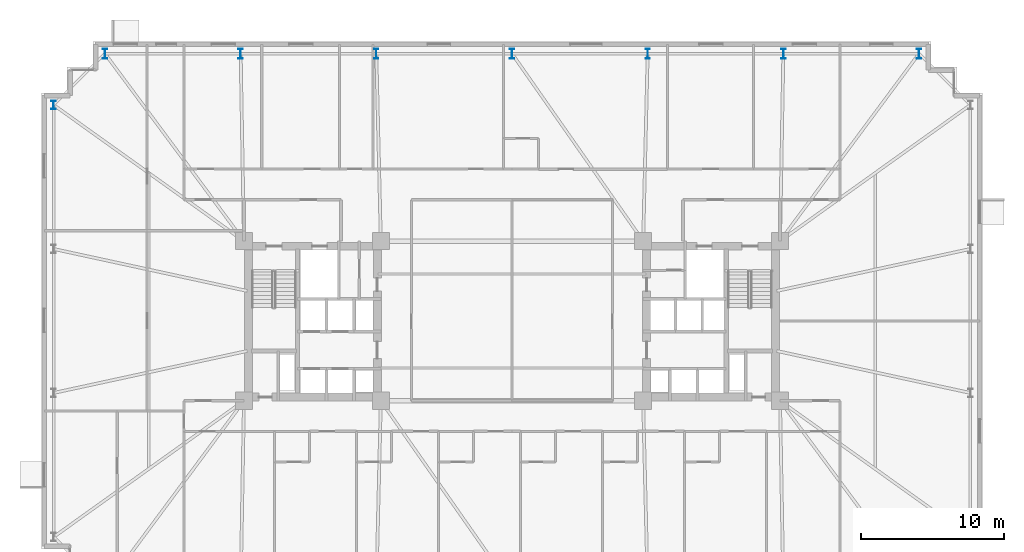
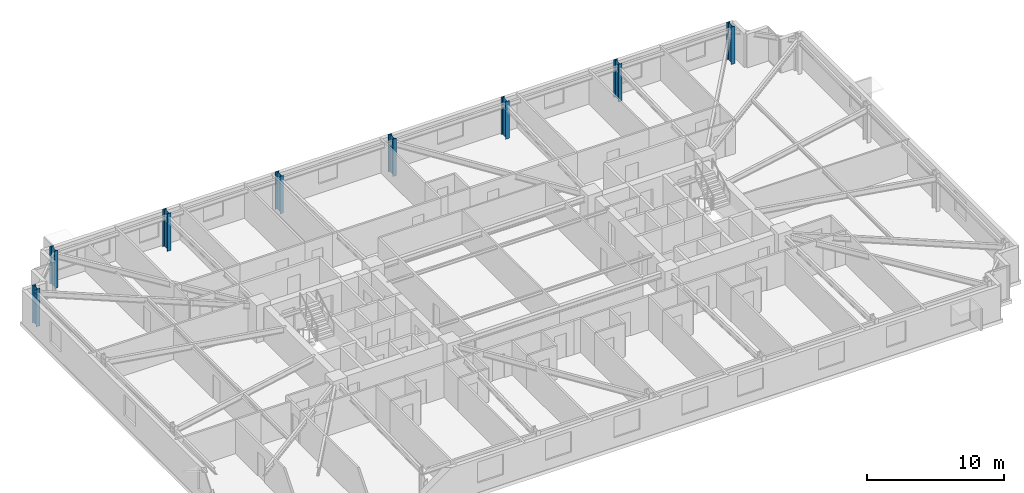
# One storey, part 2 of 20: 8 columns.
"""IFC4 building model written with IfcOpenShell, lengths in metres."""

import ifcopenshell
import ifcopenshell.guid

model = None  # the IFC model being written
_history = None  # IfcOwnerHistory: only IFC2X3 demands one
_inside = {}  # id of a spatial element -> (the spatial element, [elements in it])
_under = {}  # id of a project, library or spatial element -> (it, [spatial elements below it])
_declared = {}  # id of a project -> (the project, [libraries it declares])
_typed = {}  # id of a type object -> (the type object, [elements of that type])
_made_of = {}  # id of a material, layer set ... -> (it, [elements and type objects made of it])


def new_model(schema):
    """Start an empty IFC model of exactly this schema.

    Asked for "IFC4X3", IfcOpenShell would pick the latest addendum, in which some entities
    have other attributes; the version numbers below select the first issue.
    IFC2X3 requires an IfcOwnerHistory on every rooted entity: one is made here for all.
    """
    global model, _history
    if schema == "IFC4X3":
        model = ifcopenshell.file(schema_version=(4, 3, 0, 0))
    else:
        model = ifcopenshell.file(schema=schema)
    _inside.clear()
    _under.clear()
    _declared.clear()
    _typed.clear()
    _made_of.clear()
    _history = None
    if model.schema == "IFC2X3":
        org = make("IfcOrganization", Name="unknown")
        user = make(
            "IfcPersonAndOrganization",
            ThePerson=make("IfcPerson", FamilyName="unknown"),
            TheOrganization=org,
        )
        app = make(
            "IfcApplication",
            ApplicationDeveloper=org,
            Version="unknown",
            ApplicationFullName="unknown",
            ApplicationIdentifier="unknown",
        )
        _history = make(
            "IfcOwnerHistory",
            OwningUser=user,
            OwningApplication=app,
            ChangeAction="ADDED",
            CreationDate=0,
        )
    return model


def make(cls, **values):
    """One entity of the class cls with the attributes given. An attribute that is None is left unset."""
    return model.create_entity(
        cls, **{name: value for name, value in values.items() if value is not None}
    )


def rooted(cls, **values):
    """An entity with a GlobalId (a new one), such as an element, a storey or a relation."""
    return make(cls, GlobalId=ifcopenshell.guid.new(), OwnerHistory=_history, **values)


def si_unit(unit_type, name, prefix=None):
    """IfcSIUnit, for example si_unit("LENGTHUNIT", "METRE", prefix="MILLI")."""
    return make("IfcSIUnit", UnitType=unit_type, Prefix=prefix, Name=name)


def assignment(units):
    """IfcUnitAssignment: the units of a project."""
    return None if units is None else make("IfcUnitAssignment", Units=units)


def point(xyz):
    """IfcCartesianPoint."""
    return None if xyz is None else make("IfcCartesianPoint", Coordinates=xyz)


def direction(xyz):
    """IfcDirection."""
    return None if xyz is None else make("IfcDirection", DirectionRatios=xyz)


def frame(location, z_axis=None, x_axis=None):
    """IfcAxis2Placement3D, a coordinate frame: its origin and axes. An axis left out is left unset."""
    return make(
        "IfcAxis2Placement3D",
        Location=point(location),
        Axis=direction(z_axis),
        RefDirection=direction(x_axis),
    )


def frame_2d(location, x_axis=None):
    """IfcAxis2Placement2D, a coordinate frame in the plane: its origin and x axis."""
    return make(
        "IfcAxis2Placement2D", Location=point(location), RefDirection=direction(x_axis)
    )


def origin():
    """The frame at (0, 0, 0) with its axes left unset."""
    return frame((0.0, 0.0, 0.0))


def origin_2d():
    """The frame at (0, 0) in the plane with its x axis left unset."""
    return frame_2d((0.0, 0.0))


def place(relative_to, where):
    """IfcLocalPlacement: puts the frame where relative to a parent placement (None: the world)."""
    return make(
        "IfcLocalPlacement", PlacementRelTo=relative_to, RelativePlacement=where
    )


def context(
    kind, dimensions, precision=None, world=None, true_north=None, identifier=None
):
    """IfcGeometricRepresentationContext, for example the 3D "Model" context."""
    return make(
        "IfcGeometricRepresentationContext",
        ContextIdentifier=identifier,
        ContextType=kind,
        CoordinateSpaceDimension=dimensions,
        Precision=precision,
        WorldCoordinateSystem=world,
        TrueNorth=true_north,
    )


def subcontext(parent, identifier, kind, view, scale=None):
    """IfcGeometricRepresentationSubContext, for example "Body" below "Model"."""
    return make(
        "IfcGeometricRepresentationSubContext",
        ContextIdentifier=identifier,
        ContextType=kind,
        ParentContext=parent,
        TargetScale=scale,
        TargetView=view,
    )


def project(units=None, contexts=None):
    """IfcProject with its units and contexts."""
    return rooted(
        "IfcProject",
        Name="project",
        RepresentationContexts=contexts,
        UnitsInContext=assignment(units),
    )


def spatial(cls, under=None, at=None, **own):
    """A site, building, storey or space (cls), placed at a placement, below another one or the project."""
    s = rooted(cls, ObjectPlacement=at, **own)
    if under is not None:
        _under.setdefault(under.id(), (under, []))[1].append(s)
    return s


def profile(cls, at=None, kind="AREA", **sizes):
    """A parametric profile (cls). Its sizes go by their IFC names, for example OverallWidth=200.0."""
    return make(cls, ProfileType=kind, Position=at, **sizes)


def i_section(**sizes):
    """IfcIShapeProfileDef."""
    return profile("IfcIShapeProfileDef", **sizes)


def extrude(swept, where, along, depth):
    """IfcExtrudedAreaSolid: the profile swept, set in the frame where, extruded along a direction by depth."""
    return make(
        "IfcExtrudedAreaSolid",
        SweptArea=swept,
        Position=where,
        ExtrudedDirection=direction(along),
        Depth=depth,
    )


def shape(context_of_items, identifier, shape_type, items):
    """IfcShapeRepresentation: the items that make up one representation, for example the "Body"."""
    return make(
        "IfcShapeRepresentation",
        ContextOfItems=context_of_items,
        RepresentationIdentifier=identifier,
        RepresentationType=shape_type,
        Items=items,
    )


def material(Name=None, Category=None):
    """IfcMaterial."""
    return make("IfcMaterial", Name=Name, Category=Category)


def material_profile(
    of_material, cross_section, Name=None, Category=None, Priority=None
):
    """IfcMaterialProfile: a cross section and its material."""
    return make(
        "IfcMaterialProfile",
        Name=Name,
        Material=of_material,
        Profile=cross_section,
        Priority=Priority,
        Category=Category,
    )


def profile_set(profiles, Name=None, composite=None):
    """IfcMaterialProfileSet."""
    return make(
        "IfcMaterialProfileSet",
        Name=Name,
        MaterialProfiles=profiles,
        CompositeProfile=composite,
    )


def made_of(thing, what):
    """Note that an element or type object is made of a material, layer set ...; save() writes the relation."""
    if what is not None:
        _made_of.setdefault(what.id(), (what, []))[1].append(thing)
    return thing


def type_object(cls, material=None, **own):
    """A type object (cls), such as IfcWallType, which elements share."""
    return made_of(rooted(cls, **own), material)


def element(
    cls,
    number,
    at=None,
    inside=None,
    cuts=None,
    type_object=None,
    material=None,
    context=None,
    identifier="Body",
    shape_type=None,
    held_by="IfcProductDefinitionShape",
    body=None,
    shapes=None,
    **own,
):
    """One element of the class cls, such as IfcWall. Its Tag is "e" and its number.

    at: its placement. inside: the storey or other place that contains it. cuts: it is an
    opening in that element (IfcRelVoidsElement). A single representation is given by context,
    identifier, shape_type and body (its items); several are given by shapes. held_by: the class
    of the entity that holds the representations. save() writes the other relations.
    """
    e = rooted(cls, Tag="e%d" % number, ObjectPlacement=at, **own)
    if body is not None:
        shapes = [shape(context, identifier, shape_type, body)]
    if shapes is not None:
        e.Representation = make(held_by, Representations=shapes)
    if inside is not None:
        _inside.setdefault(inside.id(), (inside, []))[1].append(e)
    if cuts is not None:
        rooted(
            "IfcRelVoidsElement", RelatingBuildingElement=cuts, RelatedOpeningElement=e
        )
    if type_object is not None:
        _typed.setdefault(type_object.id(), (type_object, []))[1].append(e)
    return made_of(e, material)


def aggregate(whole, parts):
    """IfcRelAggregates: a whole, such as a stair, and the parts it consists of."""
    return rooted("IfcRelAggregates", RelatingObject=whole, RelatedObjects=parts)


def save(model, path):
    """Write the relations noted so far, then the file.

    IfcRelAggregates (storeys below a building ...), IfcRelContainedInSpatialStructure (elements
    in a storey), IfcRelDefinesByType, IfcRelAssociatesMaterial and IfcRelDeclares: one each for
    every whole, place, type object, material and project.
    """
    for whole, parts in _under.values():
        aggregate(whole, parts)
    for where, things in _inside.values():
        rooted(
            "IfcRelContainedInSpatialStructure",
            RelatedElements=things,
            RelatingStructure=where,
        )
    for kind, things in _typed.values():
        rooted("IfcRelDefinesByType", RelatedObjects=things, RelatingType=kind)
    for what, things in _made_of.values():
        rooted("IfcRelAssociatesMaterial", RelatedObjects=things, RelatingMaterial=what)
    for by, libraries in _declared.values():
        rooted("IfcRelDeclares", RelatingContext=by, RelatedDefinitions=libraries)
    model.write(path)


model = new_model("IFC4")

# Units and contexts
model_context = context("Model", 3, precision=1e-05, world=origin(), true_north=direction((0.0, 1.0)))
body_context = subcontext(model_context, "Body", "Model", "MODEL_VIEW")
ifc_project = project(units=[si_unit("LENGTHUNIT", "METRE"), si_unit("AREAUNIT", "SQUARE_METRE"), si_unit("VOLUMEUNIT", "CUBIC_METRE"), si_unit("PLANEANGLEUNIT", "RADIAN"), si_unit("MASSUNIT", "GRAM", prefix="KILO")], contexts=[model_context])

# Site, building, storey
site_placement = place(None, origin())
site = spatial("IfcSite", under=ifc_project, at=site_placement, CompositionType="ELEMENT")
building_placement = place(site_placement, origin())
building = spatial("IfcBuilding", under=site, at=building_placement, Name="Qobustan Lattice House", CompositionType="ELEMENT")
storey_placement = place(building_placement, frame((0.0, 0.0, 70.550048828125)))
storey = spatial("IfcBuildingStorey", under=building, at=storey_placement, Name="L19", CompositionType="ELEMENT", Elevation=70.550048828125)

# Columns
ifc_material_1 = material(Name="Steel S460", Category="steel")
ifc_material_profile_1 = material_profile(ifc_material_1, i_section(OverallWidth=0.304931640625, OverallDepth=0.6201171875, WebThickness=0.02099609375, FlangeThickness=0.0400390625, FilletRadius=0.027099609375, at=origin_2d()), Name="HEM600")
ifc_profile_set_1 = profile_set([ifc_material_profile_1], Name="Steel S460")
column_type_1 = type_object("IfcColumnType", Name="COL-ST-HEM600", PredefinedType="COLUMN", material=ifc_profile_set_1)
column_placement = place(storey_placement, frame((-32.14990234375, 15.14990234375, 0.0), z_axis=(0.0, 0.0, 1.0), x_axis=(1.0, 0.0, 0.0)))
element("IfcColumn", 1, at=column_placement, inside=storey, type_object=column_type_1, Name="L19 B1 perimeter column W1", PredefinedType="COLUMN", context=body_context, shape_type="SweptSolid", body=[
    extrude(i_section(OverallWidth=0.304931640625, OverallDepth=0.6201171875, WebThickness=0.02099609375, FlangeThickness=0.0400390625, FilletRadius=0.027099609375, at=origin_2d()), origin(), (0.0, 0.0, 1.0), 3.349853515625),
])
ifc_material_2 = material(Name="Steel S460", Category="steel")
ifc_material_profile_2 = material_profile(ifc_material_2, i_section(OverallWidth=0.303955078125, OverallDepth=0.716064453125, WebThickness=0.02099609375, FlangeThickness=0.0400390625, FilletRadius=0.027099609375, at=origin_2d()), Name="HEM700")
ifc_profile_set_2 = profile_set([ifc_material_profile_2], Name="Steel S460")
column_type_2 = type_object("IfcColumnType", Name="COL-ST-HEM700", PredefinedType="COLUMN", material=ifc_profile_set_2)
for number, where, z_axis, x_axis, name in (
    (2, (28.550048828125, 18.75, 0.0), (0.0, 0.0, 1.0), (1.0, 0.0, 0.0), "L19 B1 perimeter column N1"),
    (3, (19.033203125, 18.75, 0.0), (0.0, 0.0, 1.0), (1.0, 0.0, 0.0), "L19 B1 perimeter column N2"),
    (4, (9.5166015625, 18.75, 0.0), (0.0, 0.0, 1.0), (1.0, 0.0, 0.0), "L19 B1 perimeter column N3"),
    (5, (0.0, 18.75, 0.0), (0.0, 0.0, 1.0), (1.0, 0.0, 0.0), "L19 B1 perimeter column N4"),
    (6, (-9.5166015625, 18.75, 0.0), (0.0, 0.0, 1.0), (1.0, 0.0, 0.0), "L19 B1 perimeter column N5"),
    (7, (-19.033203125, 18.75, 0.0), (0.0, 0.0, 1.0), (1.0, 0.0, 0.0), "L19 B1 perimeter column N6"),
    (8, (-28.550048828125, 18.75, 0.0), (0.0, 0.0, 1.0), (1.0, 0.0, 0.0), "L19 B1 perimeter column N7"),
):
    element("IfcColumn", number, at=place(storey_placement, frame(where, z_axis=z_axis, x_axis=x_axis)), inside=storey, type_object=column_type_2, Name=name, PredefinedType="COLUMN", context=body_context, shape_type="SweptSolid", body=[
        extrude(i_section(OverallWidth=0.303955078125, OverallDepth=0.716064453125, WebThickness=0.02099609375, FlangeThickness=0.0400390625, FilletRadius=0.027099609375, at=origin_2d()), origin(), (0.0, 0.0, 1.0), 3.349853515625),
    ])

save(model, "model.ifc")
